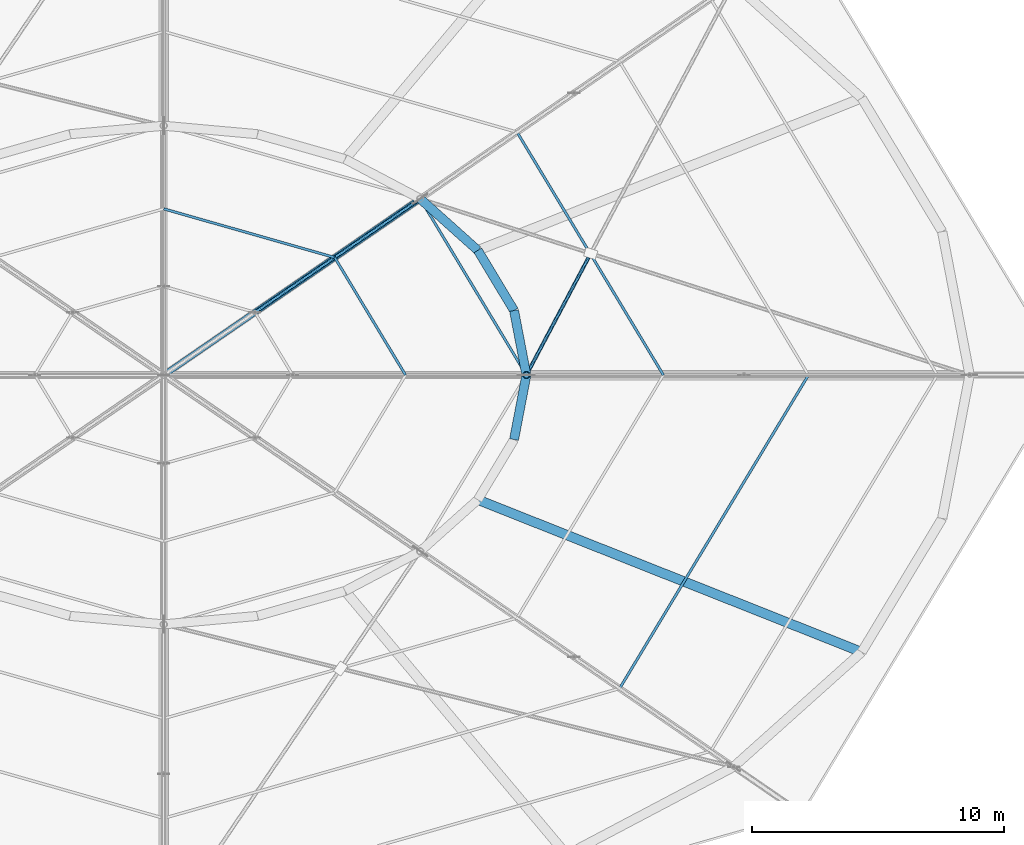
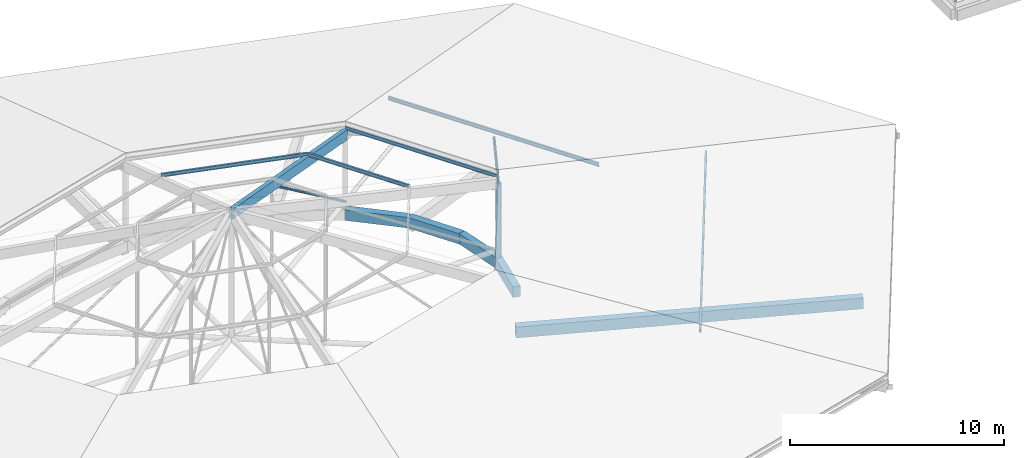
# One storey, part 29 of 66: 9 members, 5 beams.
"""IFC4 building model written with IfcOpenShell, lengths in metres."""

from ifc_helpers import new_model, si_unit, direction, frame, origin, origin_2d, place, context, subcontext, project, spatial, rectangle, hollow_circle, i_section, extrude, material, material_profile, profile_set, type_object, element, save


model = new_model("IFC4")

# Units and contexts
model_context = context("Model", 3, precision=1e-05, world=origin(), true_north=direction((0.0, 1.0)))
body_context = subcontext(model_context, "Body", "Model", "MODEL_VIEW")
ifc_project = project(units=[si_unit("LENGTHUNIT", "METRE"), si_unit("AREAUNIT", "SQUARE_METRE"), si_unit("VOLUMEUNIT", "CUBIC_METRE"), si_unit("PLANEANGLEUNIT", "RADIAN"), si_unit("MASSUNIT", "GRAM", prefix="KILO")], contexts=[model_context])

# Site, building, storey
site_placement = place(None, origin())
site = spatial("IfcSite", under=ifc_project, at=site_placement, CompositionType="ELEMENT")
building_placement = place(site_placement, origin())
building = spatial("IfcBuilding", under=site, at=building_placement, Name="Zornivar Specialist Clinic", CompositionType="ELEMENT")
storey_placement = place(building_placement, frame((0.0, 0.0, 16.0)))
storey = spatial("IfcBuildingStorey", under=building, at=storey_placement, Name="L04", CompositionType="ELEMENT", Elevation=16.0)

# Beams
ifc_material_1 = material(Name="Concrete C30/37", Category="concrete")
ifc_material_profile_1 = material_profile(ifc_material_1, rectangle(XDim=0.360107421875, YDim=0.60009765625, at=origin_2d()), Name="RC 360x600")
ifc_profile_set_1 = profile_set([ifc_material_profile_1], Name="Concrete C30/37")
beam_type_1 = type_object("IfcBeamType", Name="BM-RC-360x600", PredefinedType="BEAM", material=ifc_profile_set_1)
beam_1_placement = place(storey_placement, frame((108.0, 57.60009765625, -0.300048828125), z_axis=(-0.188208648203, 0.982129067252, 0.0), x_axis=(-0.982129067252, -0.188208648203, 0.0)))
element("IfcBeam", 1, at=beam_1_placement, inside=storey, type_object=beam_type_1, Name="bm:V1:L04:inring:00", PredefinedType="BEAM", context=body_context, shape_type="SweptSolid", body=[
    extrude(rectangle(XDim=0.360107421875, YDim=0.60009765625, at=origin_2d()), origin(), (0.0, 0.0, 1.0), 2.608642578125),
])
beam_2_placement = place(storey_placement, frame((107.509033203125, 60.162109375, -0.300048828125), z_axis=(-0.515873260277, 0.856664916599, 0.0), x_axis=(-0.856664916599, -0.515873260277, 0.0)))
element("IfcBeam", 2, at=beam_2_placement, inside=storey, type_object=beam_type_1, Name="bm:V1:L04:inring:01", PredefinedType="BEAM", context=body_context, shape_type="SweptSolid", body=[
    extrude(rectangle(XDim=0.360107421875, YDim=0.60009765625, at=origin_2d()), origin(), (0.0, 0.0, 1.0), 2.78759765625),
])
beam_3_placement = place(storey_placement, frame((106.071044921875, 62.550048828125, -0.300048828125), z_axis=(-0.744927462836, 0.66714546773, 0.0), x_axis=(-0.66714546773, -0.744927462836, 0.0)))
element("IfcBeam", 3, at=beam_3_placement, inside=storey, type_object=beam_type_1, Name="bm:V1:L04:inring:02", PredefinedType="BEAM", context=body_context, shape_type="SweptSolid", body=[
    extrude(rectangle(XDim=0.360107421875, YDim=0.60009765625, at=origin_2d()), origin(), (0.0, 0.0, 1.0), 3.07275390625),
])
beam_4_placement = place(storey_placement, frame((107.509033203125, 55.0380859375, -0.300048828125), z_axis=(0.188208648203, 0.982129067252, 0.0), x_axis=(-0.982129067252, 0.188208648203, 0.0)))
element("IfcBeam", 4, at=beam_4_placement, inside=storey, type_object=beam_type_1, Name="bm:V1:L04:inring:23", PredefinedType="BEAM", context=body_context, shape_type="SweptSolid", body=[
    extrude(rectangle(XDim=0.360107421875, YDim=0.60009765625, at=origin_2d()), origin(), (0.0, 0.0, 1.0), 2.608642578125),
])
ifc_material_2 = material(Name="Concrete C30/37", Category="concrete")
ifc_material_profile_2 = material_profile(ifc_material_2, rectangle(XDim=0.3798828125, YDim=0.6201171875, at=origin_2d()), Name="RC 380x620")
ifc_profile_set_2 = profile_set([ifc_material_profile_2], Name="Concrete C30/37")
beam_type_2 = type_object("IfcBeamType", Name="BM-RC-CANT-380x620", PredefinedType="BEAM", material=ifc_profile_set_2)
beam_5_placement = place(storey_placement, frame((106.071044921875, 52.64990234375, -0.550048828125), z_axis=(0.929461136718, -0.368920039209, 0.0), x_axis=(0.368920039209, 0.929461136718, 0.0)))
element("IfcBeam", 5, at=beam_5_placement, inside=storey, type_object=beam_type_2, Name="bm:V1:L04:radcant:22", PredefinedType="BEAM", context=body_context, shape_type="SweptSolid", body=[
    extrude(rectangle(XDim=0.3798828125, YDim=0.6201171875, at=origin_2d()), origin(), (0.0, 0.0, 1.0), 16.398681640625),
])

# Members
ifc_material_3 = material(Name="Steel S355J2", Category="steel")
ifc_material_profile_3 = material_profile(ifc_material_3, hollow_circle(Radius=0.136474609375, WallThickness=0.012451171875, at=origin_2d()), Name="CHS 273x12.5")
ifc_profile_set_3 = profile_set([ifc_material_profile_3], Name="Steel S355J2")
member_type_1 = type_object("IfcMemberType", Name="MEM-CHORD-CHS273", PredefinedType="CHORD", material=ifc_profile_set_3)
member_1_placement = place(storey_placement, frame((108.0, 57.60009765625, -0.080078125), z_axis=(0.0, 0.0, 1.0), x_axis=(1.0, 0.0, 0.0)))
element("IfcMember", 6, at=member_1_placement, inside=storey, type_object=member_type_1, Name="mem:V1:L04:post:in:0", PredefinedType="CHORD", context=body_context, shape_type="SweptSolid", body=[
    extrude(hollow_circle(Radius=0.136474609375, WallThickness=0.012451171875, at=origin_2d()), origin(), (0.0, 0.0, 1.0), 4.2841796875),
])
ifc_material_4 = material(Name="Steel S355J2", Category="steel")
ifc_material_profile_4 = material_profile(ifc_material_4, hollow_circle(Radius=0.06982421875, WallThickness=0.008056640625, at=origin_2d()), Name="CHS 139.7x8")
ifc_profile_set_4 = profile_set([ifc_material_profile_4], Name="Steel S355J2")
member_type_2 = type_object("IfcMemberType", Name="MEM-DIAG-CHS140", PredefinedType="BRACE", material=ifc_profile_set_4)
member_2_placement = place(storey_placement, frame((103.781982421875, 64.60009765625, 0.360107421875), z_axis=(-0.659468156626, -0.453344487312, 0.59965033663), x_axis=(0.566494991272, -0.824065182412, 0.0)))
element("IfcMember", 7, at=member_2_placement, inside=storey, type_object=member_type_2, Name="mem:V1:L04:diag3:1", PredefinedType="BRACE", context=body_context, shape_type="SweptSolid", body=[
    extrude(hollow_circle(Radius=0.06982421875, WallThickness=0.008056640625, at=origin_2d()), origin(), (0.0, 0.0, 1.0), 9.950439453125),
])
ifc_material_5 = material(Name="Steel S355J2", Category="steel")
ifc_material_profile_5 = material_profile(ifc_material_5, i_section(OverallWidth=0.10009765625, OverallDepth=0.199951171875, WebThickness=0.005615234375, FlangeThickness=0.008544921875, FilletRadius=0.011962890625, at=origin_2d()), Name="IPE 200")
ifc_profile_set_5 = profile_set([ifc_material_profile_5], Name="Steel S355J2")
member_type_3 = type_object("IfcMemberType", Name="MEM-PURLIN-IPE200", PredefinedType="PURLIN", material=ifc_profile_set_5)
member_3_placement = place(storey_placement, frame((113.43994140625, 57.60009765625, 3.323974609375), z_axis=(-0.516063616444, 0.856550257593, 0.0), x_axis=(-0.856550257593, -0.516063616444, 0.0)))
element("IfcMember", 8, at=member_3_placement, inside=storey, type_object=member_type_3, Name="mem:V1:L04:purl:0:03", PredefinedType="PURLIN", context=body_context, shape_type="SweptSolid", body=[
    extrude(i_section(OverallWidth=0.10009765625, OverallDepth=0.199951171875, WebThickness=0.005615234375, FlangeThickness=0.008544921875, FilletRadius=0.011962890625, at=origin_2d()), origin(), (0.0, 0.0, 1.0), 11.26025390625),
])
member_4_placement = place(storey_placement, frame((108.0, 57.60009765625, 4.569091796875), z_axis=(-0.516115885834, 0.856518763595, 0.0), x_axis=(-0.856518763595, -0.516115885834, 0.0)))
element("IfcMember", 9, at=member_4_placement, inside=storey, type_object=member_type_3, Name="mem:V1:L04:purl:0:04", PredefinedType="PURLIN", context=body_context, shape_type="SweptSolid", body=[
    extrude(i_section(OverallWidth=0.10009765625, OverallDepth=0.199951171875, WebThickness=0.005615234375, FlangeThickness=0.008544921875, FilletRadius=0.011962890625, at=origin_2d()), origin(), (0.0, 0.0, 1.0), 8.172607421875),
])
member_5_placement = place(storey_placement, frame((103.199951171875, 57.60009765625, 5.6669921875), z_axis=(-0.516089475444, 0.856534677252, 0.0), x_axis=(-0.856534677252, -0.516089475444, 0.0)))
element("IfcMember", 10, at=member_5_placement, inside=storey, type_object=member_type_3, Name="mem:V1:L04:purl:0:05", PredefinedType="PURLIN", context=body_context, shape_type="SweptSolid", body=[
    extrude(i_section(OverallWidth=0.10009765625, OverallDepth=0.199951171875, WebThickness=0.005615234375, FlangeThickness=0.008544921875, FilletRadius=0.011962890625, at=origin_2d()), origin(), (0.0, 0.0, 1.0), 5.44873046875),
])
member_6_placement = place(storey_placement, frame((100.387939453125, 62.26708984375, 5.6669921875), z_axis=(-0.961767671704, 0.273866656723, 0.0), x_axis=(-0.273866656723, -0.961767671704, 0.0)))
element("IfcMember", 11, at=member_6_placement, inside=storey, type_object=member_type_3, Name="mem:V1:L04:purl:1:05", PredefinedType="PURLIN", context=body_context, shape_type="SweptSolid", body=[
    extrude(i_section(OverallWidth=0.10009765625, OverallDepth=0.199951171875, WebThickness=0.005615234375, FlangeThickness=0.008544921875, FilletRadius=0.011962890625, at=origin_2d()), origin(), (0.0, 0.0, 1.0), 7.0576171875),
])
member_7_placement = place(storey_placement, frame((111.701904296875, 45.155029296875, 2.006103515625), z_axis=(0.516064028987, 0.856550009039, 0.0), x_axis=(-0.856550009039, 0.516064028987, 0.0)))
element("IfcMember", 12, at=member_7_placement, inside=storey, type_object=member_type_3, Name="mem:V1:L04:purl:7:02", PredefinedType="PURLIN", context=body_context, shape_type="SweptSolid", body=[
    extrude(i_section(OverallWidth=0.10009765625, OverallDepth=0.199951171875, WebThickness=0.005615234375, FlangeThickness=0.008544921875, FilletRadius=0.011962890625, at=origin_2d()), origin(), (0.0, 0.0, 1.0), 14.529296875),
])
ifc_material_6 = material(Name="Glulam GL28h", Category="wood")
ifc_material_profile_6 = material_profile(ifc_material_6, rectangle(XDim=0.239990234375, YDim=0.56005859375, at=origin_2d()), Name="GL28h 240x560")
ifc_profile_set_6 = profile_set([ifc_material_profile_6], Name="Glulam GL28h")
member_type_4 = type_object("IfcMemberType", Name="MEM-RAFTER-GL560", PredefinedType="RAFTER", material=ifc_profile_set_6)
member_8_placement = place(storey_placement, frame((103.781982421875, 64.60009765625, 4.2041015625), z_axis=(-0.796219961003, -0.547397643493, 0.25766178141), x_axis=(0.566526307166, -0.824043653752, 0.0)))
element("IfcMember", 13, at=member_8_placement, inside=storey, type_object=member_type_4, Name="mem:V1:L04:raf2:1", PredefinedType="RAFTER", context=body_context, shape_type="SweptSolid", body=[
    extrude(rectangle(XDim=0.239990234375, YDim=0.56005859375, at=origin_2d()), origin(), (0.0, 0.0, 1.0), 12.787841796875),
])
ifc_material_7 = material(Name="Steel S355J2", Category="steel")
ifc_material_profile_7 = material_profile(ifc_material_7, hollow_circle(Radius=0.06982421875, WallThickness=0.008056640625, at=origin_2d()), Name="CHS 139.7x8")
ifc_profile_set_7 = profile_set([ifc_material_profile_7], Name="Steel S355J2")
member_type_5 = type_object("IfcMemberType", Name="MEM-WIND-CHS140", PredefinedType="BRACE", material=ifc_profile_set_7)
member_9_placement = place(storey_placement, frame((110.552978515625, 62.427978515625, 2.9541015625), z_axis=(-0.455681040898, -0.861728276155, 0.223112453801), x_axis=(0.884011815872, -0.467464554163, 0.0)))
element("IfcMember", 14, at=member_9_placement, inside=storey, type_object=member_type_5, Name="mem:V1:L04:wbraceB2:0", PredefinedType="BRACE", context=body_context, shape_type="SweptSolid", body=[
    extrude(hollow_circle(Radius=0.06982421875, WallThickness=0.008056640625, at=origin_2d()), origin(), (0.0, 0.0, 1.0), 5.6025390625),
])

save(model, "model.ifc")
